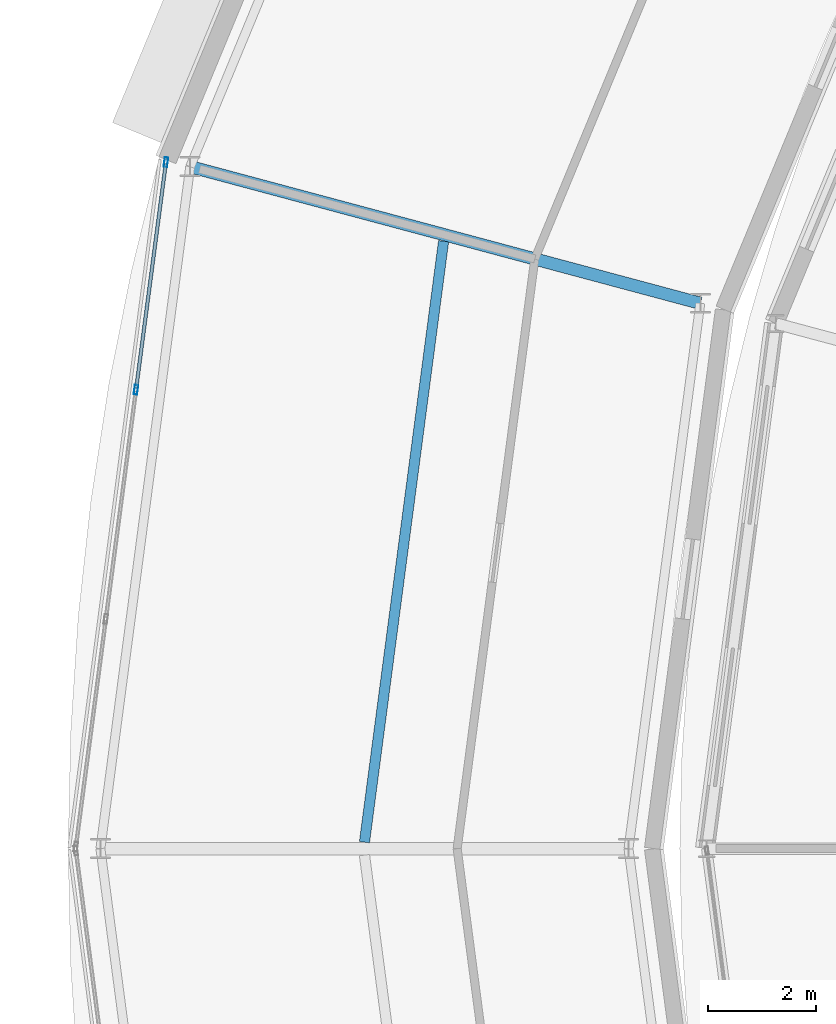
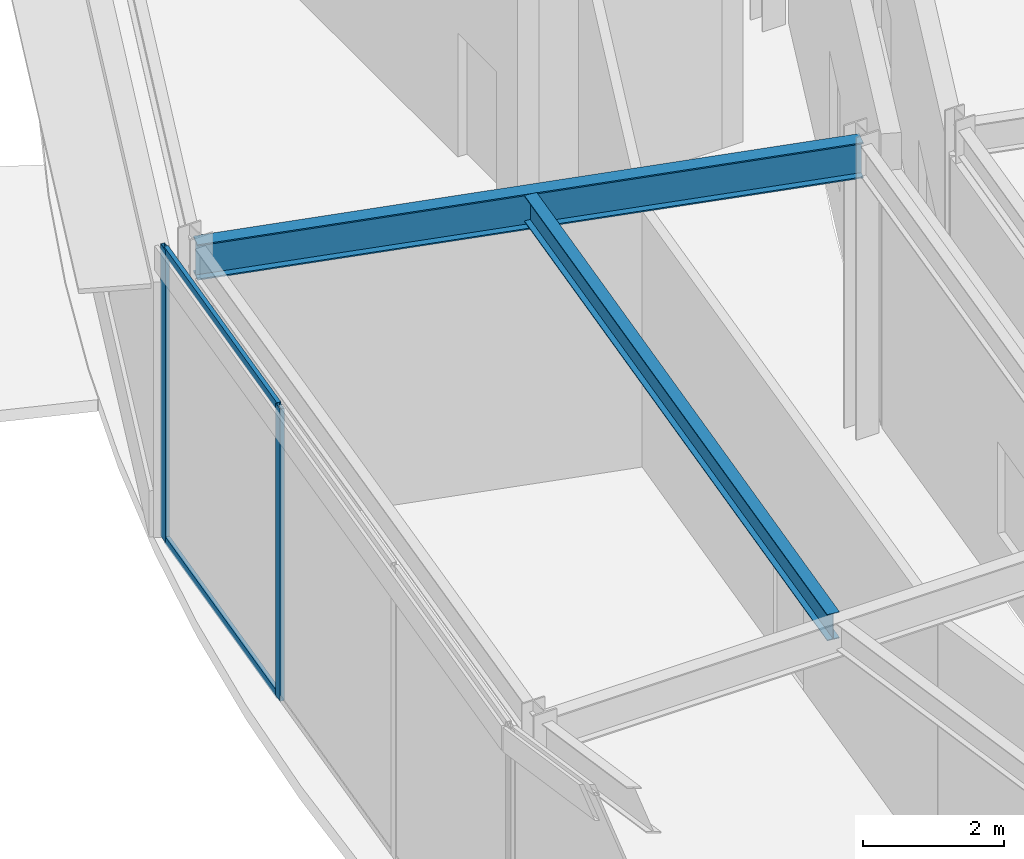
# One storey, part 39 of 168: 4 members, 2 beams, 1 element without a shape of its own.
"""IFC4 building model written with IfcOpenShell, lengths in metres."""

from ifc_helpers import new_model, si_unit, direction, frame, origin, origin_2d, place, context, subcontext, project, spatial, hollow_rectangle, i_section, extrude, material, material_profile, profile_set, type_object, element, aggregate, save


model = new_model("IFC4")

# Units and contexts
model_context = context("Model", 3, precision=1e-05, world=origin(), true_north=direction((0.0, 1.0)))
body_context = subcontext(model_context, "Body", "Model", "MODEL_VIEW")
ifc_project = project(units=[si_unit("LENGTHUNIT", "METRE"), si_unit("AREAUNIT", "SQUARE_METRE"), si_unit("VOLUMEUNIT", "CUBIC_METRE"), si_unit("PLANEANGLEUNIT", "RADIAN"), si_unit("MASSUNIT", "GRAM", prefix="KILO")], contexts=[model_context])

# Site, building, storey
site_placement = place(None, origin())
site = spatial("IfcSite", under=ifc_project, at=site_placement, CompositionType="ELEMENT")
building_placement = place(site_placement, origin())
building = spatial("IfcBuilding", under=site, at=building_placement, Name="Almandine Court Research Institute", CompositionType="ELEMENT")
storey_placement = place(building_placement, origin())
storey = spatial("IfcBuildingStorey", under=building, at=storey_placement, Name="L00", CompositionType="ELEMENT", Elevation=0.0)

# Beams
ifc_material_1 = material(Name="Steel ASTM A992 Grade 50", Category="steel")
ifc_material_profile_1 = material_profile(ifc_material_1, i_section(OverallWidth=0.18994140625, OverallDepth=0.45703125, WebThickness=0.009033203125, FlangeThickness=0.014892578125, at=origin_2d()), Name="W460x74")
ifc_profile_set_1 = profile_set([ifc_material_profile_1], Name="Steel ASTM A992 Grade 50")
beam_type_1 = type_object("IfcBeamType", Name="Beam-B-01", PredefinedType="BEAM", material=ifc_profile_set_1)
beam_1_placement = place(storey_placement, frame((44.468017578125, 67.27197265625, 4.841064453125), z_axis=(-0.130512904889, -0.991446610594, 0.0), x_axis=(0.991446610594, -0.130512904889, 0.0)))
element("IfcBeam", 1, at=beam_1_placement, inside=storey, type_object=beam_type_1, Name="L00 Drum MID Ring Beam 11", PredefinedType="BEAM", context=body_context, shape_type="SweptSolid", body=[
    extrude(i_section(OverallWidth=0.18994140625, OverallDepth=0.45703125, WebThickness=0.009033203125, FlangeThickness=0.014892578125, at=origin_2d()), origin(), (0.0, 0.0, 1.0), 11.248046875),
])
ifc_material_profile_2 = material_profile(ifc_material_1, i_section(OverallWidth=0.22998046875, OverallDepth=0.616943359375, WebThickness=0.012939453125, FlangeThickness=0.02197265625, at=origin_2d()), Name="W610x140")
ifc_profile_set_2 = profile_set([ifc_material_profile_2], Name="Steel ASTM A992 Grade 50")
beam_type_2 = type_object("IfcBeamType", Name="Beam-G-02", PredefinedType="BEAM", material=ifc_profile_set_2)
beam_2_placement = place(storey_placement, frame((49.23193359375, 66.1201171875, 4.760986328125), z_axis=(-0.965937821551, 0.258774274024, 0.0), x_axis=(-0.258774274024, -0.965937821551, 0.0)))
element("IfcBeam", 2, at=beam_2_placement, inside=storey, type_object=beam_type_2, Name="L00 Drum Radial Girder 11", PredefinedType="BEAM", context=body_context, shape_type="SweptSolid", body=[
    extrude(i_section(OverallWidth=0.22998046875, OverallDepth=0.616943359375, WebThickness=0.012939453125, FlangeThickness=0.02197265625, at=origin_2d()), origin(), (0.0, 0.0, 1.0), 9.799560546875),
])

# Curtain wall, members
ifc_material_2 = material(Name="Unitised Curtain Wall Framing and Solar Glazing", Category="glass")
curtain_wall_type = type_object("IfcCurtainWallType", Name="CW-CWJ-17", PredefinedType="USERDEFINED", material=ifc_material_2)
curtain_wall_placement = place(storey_placement, origin())
curtain_wall = element("IfcCurtainWall", 3, at=curtain_wall_placement, inside=storey, type_object=curtain_wall_type, Name="L00 Stacked-Ring Drum Outer Solar Jali Screen 11", ObjectType="SOLAR JALI SCREEN", PredefinedType="USERDEFINED")
ifc_material_3 = material(Name="Anodised Aluminium AW-6063-T6", Category="aluminium")
ifc_material_profile_3 = material_profile(ifc_material_3, hollow_rectangle(XDim=0.06494140625, YDim=0.179931640625, WallThickness=0.00390625, at=origin_2d()), Name="ALU RHS 65x180x4")
ifc_profile_set_3 = profile_set([ifc_material_profile_3], Name="Anodised Aluminium AW-6063-T6")
member_type_1 = type_object("IfcMemberType", Name="CWMul-65x180", PredefinedType="MULLION", material=ifc_profile_set_3)
member_1_placement = place(storey_placement, frame((38.7607421875, 64.515380859375, 0.0), z_axis=(0.0, 0.0, 1.0), x_axis=(-0.991442926098, 0.130540891259, 0.0)))
member_1 = element("IfcMember", 4, at=member_1_placement, type_object=member_type_1, Name="CWJ-17 mullion 3", PredefinedType="MULLION", context=body_context, shape_type="SweptSolid", body=[
    extrude(hollow_rectangle(XDim=0.06494140625, YDim=0.179931640625, WallThickness=0.00390625, at=origin_2d()), origin(), (0.0, 0.0, 1.0), 5.070068359375),
])
member_2_placement = place(storey_placement, frame((39.316650390625, 68.73876953125, 0.0), z_axis=(0.0, 0.0, 1.0), x_axis=(-0.991442926098, 0.130540891259, 0.0)))
member_2 = element("IfcMember", 5, at=member_2_placement, type_object=member_type_1, Name="CWJ-17 mullion 4", PredefinedType="MULLION", context=body_context, shape_type="SweptSolid", body=[
    extrude(hollow_rectangle(XDim=0.06494140625, YDim=0.179931640625, WallThickness=0.00390625, at=origin_2d()), origin(), (0.0, 0.0, 1.0), 5.070068359375),
])
ifc_material_profile_4 = material_profile(ifc_material_3, hollow_rectangle(XDim=0.06494140625, YDim=0.1298828125, WallThickness=0.00390625, at=origin_2d()), Name="ALU RHS 65x130x4")
ifc_profile_set_4 = profile_set([ifc_material_profile_4], Name="Anodised Aluminium AW-6063-T6")
member_type_2 = type_object("IfcMemberType", Name="CWTrn-65x130", PredefinedType="NOTDEFINED", material=ifc_profile_set_4)
member_3_placement = place(storey_placement, frame((38.764892578125, 64.547607421875, 0.032470703125), z_axis=(0.130543337873, 0.991442603955, 0.0), x_axis=(-0.991442603955, 0.130543337873, 0.0)))
member_3 = element("IfcMember", 6, at=member_3_placement, type_object=member_type_2, Name="CWJ-17 transom 3.1", ObjectType="TRANSOM", PredefinedType="USERDEFINED", context=body_context, shape_type="SweptSolid", body=[
    extrude(hollow_rectangle(XDim=0.06494140625, YDim=0.1298828125, WallThickness=0.00390625, at=origin_2d()), origin(), (0.0, 0.0, 1.0), 4.19482421875),
])
member_4_placement = place(storey_placement, frame((38.764892578125, 64.547607421875, 5.03759765625), z_axis=(0.130543337873, 0.991442603955, 0.0), x_axis=(-0.991442603955, 0.130543337873, 0.0)))
member_4 = element("IfcMember", 7, at=member_4_placement, type_object=member_type_2, Name="CWJ-17 transom 3.2", ObjectType="TRANSOM", PredefinedType="USERDEFINED", context=body_context, shape_type="SweptSolid", body=[
    extrude(hollow_rectangle(XDim=0.06494140625, YDim=0.1298828125, WallThickness=0.00390625, at=origin_2d()), origin(), (0.0, 0.0, 1.0), 4.19482421875),
])
aggregate(curtain_wall, [member_1, member_2, member_3, member_4])

save(model, "model.ifc")
